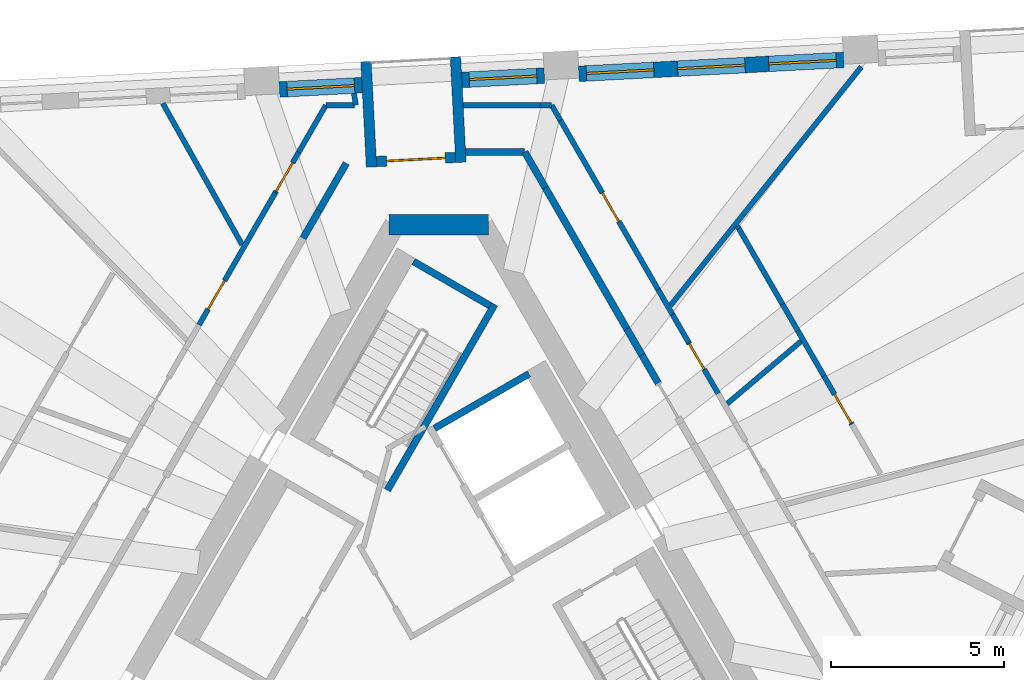
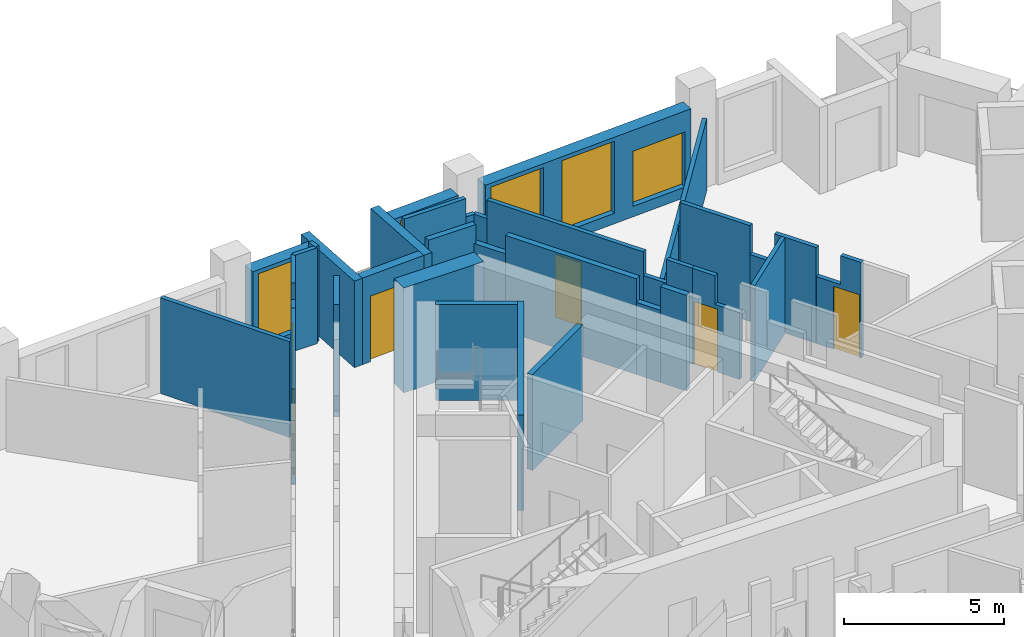
# One storey, part 7 of 12: 37 walls, 6 doors, 5 windows, 11 openings.
"""IFC4 building model written with IfcOpenShell, lengths in metres."""

from ifc_helpers import new_model, si_unit, direction, frame, frame_2d, origin, place, context, subcontext, project, spatial, polyline, rectangle, outline, extrude, material, layer, layer_set, type_object, element, fill, save


model = new_model("IFC4")

# Units and contexts
model_context = context("Model", 3, precision=1e-05, world=origin(), true_north=direction((0.0, 1.0)))
body_context = subcontext(model_context, "Body", "Model", "MODEL_VIEW")
ifc_project = project(units=[si_unit("LENGTHUNIT", "METRE"), si_unit("AREAUNIT", "SQUARE_METRE"), si_unit("VOLUMEUNIT", "CUBIC_METRE"), si_unit("PLANEANGLEUNIT", "RADIAN"), si_unit("MASSUNIT", "GRAM", prefix="KILO")], contexts=[model_context])

# Site, building, storey
site_placement = place(None, origin())
site = spatial("IfcSite", under=ifc_project, at=site_placement, CompositionType="ELEMENT")
building_placement = place(site_placement, origin())
building = spatial("IfcBuilding", under=site, at=building_placement, Name="Tramontana Tower", CompositionType="ELEMENT")
storey_placement = place(building_placement, frame((0.0, 0.0, 282.39990234375)))
storey = spatial("IfcBuildingStorey", under=building, at=storey_placement, Name="L66", CompositionType="ELEMENT", Elevation=282.39990234375)

# Walls
ifc_material_1 = material(Name="Concrete 70 MPa", Category="concrete")
ifc_layer_1 = layer(ifc_material_1, 0.60009765625)
ifc_layer_set_1 = layer_set([ifc_layer_1], Name="Core wall 600 70 MPa")
wall_type_1 = type_object("IfcWallType", Name="Core wall 600 70 MPa", PredefinedType="SHEAR", material=ifc_layer_set_1)
wall_1_placement = place(storey_placement, frame((1.443359375, 10.699951171875, 0.0), z_axis=(0.0, 0.0, 1.0), x_axis=(-1.0, 0.0, 0.0)))
element("IfcWall", 1, at=wall_1_placement, inside=storey, type_object=wall_type_1, Name="Core wall C0 L66", PredefinedType="SHEAR", context=body_context, shape_type="SweptSolid", body=[
    extrude(rectangle(XDim=2.88671875, YDim=0.60009765625, at=frame_2d((1.443359375, 0.0))), origin(), (0.0, 0.0, 1.0), 4.0),
])
ifc_material_2 = material(Name="Blockwork", Category="masonry")
ifc_layer_2 = layer(ifc_material_2, 0.199951171875)
ifc_layer_set_2 = layer_set([ifc_layer_2], Name="ENTRY WALL 200")
wall_type_2 = type_object("IfcWallType", Name="ENTRY WALL 200", PredefinedType="SOLIDWALL", material=ifc_layer_set_2)
wall_2_placement = place(storey_placement, frame((-3.92041015625, 10.309814453125, 0.0), z_axis=(0.0, 0.0, 1.0), x_axis=(0.500102178127, 0.865966403178, 0.0)))
element("IfcWall", 2, at=wall_2_placement, inside=storey, type_object=wall_type_2, Name="Wall v70-ew3-10", PredefinedType="SOLIDWALL", context=body_context, shape_type="SweptSolid", body=[
    extrude(rectangle(XDim=0.927490234375, YDim=0.199951171875, at=frame_2d((0.4638671875, 0.0))), origin(), (0.0, 0.0, 1.0), 2.9501953125),
])
wall_3_placement = place(storey_placement, frame((-3.45654296875, 11.113037109375, 0.0), z_axis=(0.0, 0.0, 1.0), x_axis=(0.500036592568, 0.866004276025, 0.0)))
element("IfcWall", 3, at=wall_3_placement, inside=storey, type_object=wall_type_2, Name="Wall v70-ew3-11", PredefinedType="SOLIDWALL", context=body_context, shape_type="SweptSolid", body=[
    extrude(rectangle(XDim=1.56982421875, YDim=0.199951171875, at=frame_2d((0.784912109375, 0.0))), origin(), (0.0, 0.0, 1.0), 3.650146484375),
])
wall_4_placement = place(storey_placement, frame((0.774658203125, 12.800048828125, 0.0), z_axis=(0.0, 0.0, 1.0), x_axis=(1.0, 0.0, 0.0)))
element("IfcWall", 4, at=wall_4_placement, inside=storey, type_object=wall_type_2, Name="Wall v70-ew4", PredefinedType="SOLIDWALL", context=body_context, shape_type="SweptSolid", body=[
    extrude(rectangle(XDim=1.7080078125, YDim=0.199951171875, at=frame_2d((0.85400390625, 0.0))), origin(), (0.0, 0.0, 1.0), 3.650146484375),
])
wall_5_placement = place(storey_placement, frame((2.482666015625, 12.800048828125, 0.0), z_axis=(0.0, 0.0, 1.0), x_axis=(0.499983247966, -0.86603507536, 0.0)))
element("IfcWall", 5, at=wall_5_placement, inside=storey, type_object=wall_type_2, Name="Wall v70-ew5-0", PredefinedType="SOLIDWALL", context=body_context, shape_type="SweptSolid", body=[
    extrude(rectangle(XDim=1.1884765625, YDim=0.199951171875, at=frame_2d((0.59423828125, 0.0))), origin(), (0.0, 0.0, 1.0), 2.9501953125),
])
wall_6_placement = place(storey_placement, frame((3.076904296875, 11.770751953125, 0.0), z_axis=(0.0, 0.0, 1.0), x_axis=(0.500007683529, -0.866020967652, 0.0)))
element("IfcWall", 6, at=wall_6_placement, inside=storey, type_object=wall_type_2, Name="Wall v70-ew5-1", PredefinedType="SOLIDWALL", context=body_context, shape_type="SweptSolid", body=[
    extrude(rectangle(XDim=4.71728515625, YDim=0.199951171875, at=frame_2d((2.358642578125, 0.0))), origin(), (0.0, 0.0, 1.0), 3.650146484375),
])
wall_7_placement = place(storey_placement, frame((5.435546875, 7.685546875, 0.0), z_axis=(0.0, 0.0, 1.0), x_axis=(0.500056482814, -0.86599279096, 0.0)))
element("IfcWall", 7, at=wall_7_placement, inside=storey, type_object=wall_type_2, Name="Wall v70-ew5-2", PredefinedType="SOLIDWALL", context=body_context, shape_type="SweptSolid", body=[
    extrude(rectangle(XDim=0.86474609375, YDim=0.199951171875, at=frame_2d((0.432373046875, 0.0))), origin(), (0.0, 0.0, 1.0), 2.75),
])
wall_8_placement = place(storey_placement, frame((5.867919921875, 6.936767578125, 0.0), z_axis=(0.0, 0.0, 1.0), x_axis=(0.499857464265, -0.866107681191, 0.0)))
element("IfcWall", 8, at=wall_8_placement, inside=storey, type_object=wall_type_2, Name="Wall v70-ew5-3", PredefinedType="SOLIDWALL", context=body_context, shape_type="SweptSolid", body=[
    extrude(rectangle(XDim=0.939208984375, YDim=0.199951171875, at=frame_2d((0.4697265625, 0.0))), origin(), (0.0, 0.0, 1.0), 3.650146484375),
])

# Wall, openings, windows
ifc_material_3 = material(Name="Precast concrete 60 MPa", Category="concrete")
ifc_layer_3 = layer(ifc_material_3, 0.449951171875)
ifc_layer_set_3 = layer_set([ifc_layer_3], Name="Precast concrete 60 MPa, 450 mm")
wall_type_3 = type_object("IfcWallType", Name="EW1 Stone-faced precast wall 450", PredefinedType="SOLIDWALL", material=ifc_layer_set_3)
wall_9_placement = place(storey_placement, frame((11.697265625, 15.45849609375, 0.0), z_axis=(0.0, 0.0, 1.0), x_axis=(-0.998628023429, -0.052364786088, 0.0)))
wall_9 = element("IfcWall", 9, at=wall_9_placement, inside=storey, type_object=wall_type_3, Name="External wall L66 face 2 bay 2", PredefinedType="SOLIDWALL", context=body_context, shape_type="SweptSolid", body=[
    extrude(rectangle(XDim=7.66015625, YDim=0.449951171875, at=frame_2d((3.830078125, 0.0))), origin(), (0.0, 0.0, 1.0), 3.300048828125),
])
opening_1_placement = place(wall_9_placement, frame((0.21826171875, 0.0, 0.39990234375)))
opening_1 = element("IfcOpeningElement", 10, at=opening_1_placement, cuts=wall_9, Name="Opening M3L", PredefinedType="OPENING", context=body_context, shape_type="SweptSolid", body=[
    extrude(rectangle(XDim=1.949951171875, YDim=2.10009765625, at=frame_2d((0.97509765625, 1.050048828125))), frame((0.0, 0.23486328125, 0.0), z_axis=(0.0, -1.0, 0.0), x_axis=(1.0, 0.0, 0.0)), (0.0, 0.0, 1.0), 0.469970703125),
])
opening_2_placement = place(wall_9_placement, frame((2.855224609375, 0.0, 0.39990234375)))
opening_2 = element("IfcOpeningElement", 11, at=opening_2_placement, cuts=wall_9, Name="Opening M3", PredefinedType="OPENING", context=body_context, shape_type="SweptSolid", body=[
    extrude(rectangle(XDim=1.949951171875, YDim=2.75, at=frame_2d((0.97509765625, 1.375))), frame((0.0, 0.23486328125, 0.0), z_axis=(0.0, -1.0, 0.0), x_axis=(1.0, 0.0, 0.0)), (0.0, 0.0, 1.0), 0.469970703125),
])
opening_3_placement = place(wall_9_placement, frame((5.491943359375, 0.0, 0.39990234375)))
opening_3 = element("IfcOpeningElement", 12, at=opening_3_placement, cuts=wall_9, Name="Opening M3", PredefinedType="OPENING", context=body_context, shape_type="SweptSolid", body=[
    extrude(rectangle(XDim=1.949951171875, YDim=2.75, at=frame_2d((0.97509765625, 1.375))), frame((0.0, 0.23486328125, 0.0), z_axis=(0.0, -1.0, 0.0), x_axis=(1.0, 0.0, 0.0)), (0.0, 0.0, 1.0), 0.469970703125),
])
ifc_material_4 = material(Name="Aluminum frame, double glazing unit", Category="aluminium")
window_type_1 = type_object("IfcWindowType", Name="M3 Window 1.95 x 2.75", PartitioningType="SINGLE_PANEL", PredefinedType="WINDOW", material=ifc_material_4)
window_1_placement = place(opening_2_placement, origin())
window_1 = element("IfcWindow", 13, at=window_1_placement, inside=storey, type_object=window_type_1, Name="Window M3 L66 face 2 module 5", OverallHeight=2.75, OverallWidth=1.949951171875, PartitioningType="SINGLE_PANEL", PredefinedType="WINDOW", context=body_context, shape_type="SweptSolid", body=[
    extrude(rectangle(XDim=1.949951171875, YDim=2.75, at=frame_2d((0.97509765625, 1.375))), frame((0.0, 0.030029296875, 0.0), z_axis=(0.0, -1.0, 0.0), x_axis=(1.0, 0.0, 0.0)), (0.0, 0.0, 1.0), 0.06005859375),
])
fill(opening_2, window_1)
window_2_placement = place(opening_3_placement, origin())
window_2 = element("IfcWindow", 14, at=window_2_placement, inside=storey, type_object=window_type_1, Name="Window M3 L66 face 2 module 6", OverallHeight=2.75, OverallWidth=1.949951171875, PartitioningType="SINGLE_PANEL", PredefinedType="WINDOW", context=body_context, shape_type="SweptSolid", body=[
    extrude(rectangle(XDim=1.949951171875, YDim=2.75, at=frame_2d((0.97509765625, 1.375))), frame((0.0, 0.030029296875, 0.0), z_axis=(0.0, -1.0, 0.0), x_axis=(1.0, 0.0, 0.0)), (0.0, 0.0, 1.0), 0.06005859375),
])
fill(opening_3, window_2)
ifc_material_5 = material(Name="Aluminum frame, double glazing unit", Category="aluminium")
window_type_2 = type_object("IfcWindowType", Name="M3L Window 1.95 x 2.1", PartitioningType="SINGLE_PANEL", PredefinedType="WINDOW", material=ifc_material_5)
window_3_placement = place(opening_1_placement, origin())
window_3 = element("IfcWindow", 15, at=window_3_placement, inside=storey, type_object=window_type_2, Name="Window M3L L66 face 2 module 4", OverallHeight=2.10009765625, OverallWidth=1.949951171875, PartitioningType="SINGLE_PANEL", PredefinedType="WINDOW", context=body_context, shape_type="SweptSolid", body=[
    extrude(rectangle(XDim=1.949951171875, YDim=2.10009765625, at=frame_2d((0.97509765625, 1.050048828125))), frame((0.0, 0.030029296875, 0.0), z_axis=(0.0, -1.0, 0.0), x_axis=(1.0, 0.0, 0.0)), (0.0, 0.0, 1.0), 0.06005859375),
])
fill(opening_1, window_3)

# Wall, opening, window
wall_10_placement = place(storey_placement, frame((3.049072265625, 15.005126953125, 0.0), z_axis=(0.0, 0.0, 1.0), x_axis=(-0.998627701279, -0.052370929331, 0.0)))
wall_10 = element("IfcWall", 16, at=wall_10_placement, inside=storey, type_object=wall_type_3, Name="External wall L66 face 2 bay 3", PredefinedType="SOLIDWALL", context=body_context, shape_type="SweptSolid", body=[
    extrude(rectangle(XDim=2.38671875, YDim=0.449951171875, at=frame_2d((1.193359375, 0.0))), origin(), (0.0, 0.0, 1.0), 3.300048828125),
])
opening_4_placement = place(wall_10_placement, frame((0.21826171875, 0.0, 0.39990234375)))
opening_4 = element("IfcOpeningElement", 17, at=opening_4_placement, cuts=wall_10, Name="Opening M3", PredefinedType="OPENING", context=body_context, shape_type="SweptSolid", body=[
    extrude(rectangle(XDim=1.949951171875, YDim=2.75, at=frame_2d((0.97509765625, 1.375))), frame((0.0, 0.23486328125, 0.0), z_axis=(0.0, -1.0, 0.0), x_axis=(1.0, 0.0, 0.0)), (0.0, 0.0, 1.0), 0.469970703125),
])
window_4_placement = place(opening_4_placement, origin())
window_4 = element("IfcWindow", 18, at=window_4_placement, inside=storey, type_object=window_type_1, Name="Window M3 L66 face 2 module 7", OverallHeight=2.75, OverallWidth=1.949951171875, PartitioningType="SINGLE_PANEL", PredefinedType="WINDOW", context=body_context, shape_type="SweptSolid", body=[
    extrude(rectangle(XDim=1.949951171875, YDim=2.75, at=frame_2d((0.97509765625, 1.375))), frame((0.0, 0.030029296875, 0.0), z_axis=(0.0, -1.0, 0.0), x_axis=(1.0, 0.0, 0.0)), (0.0, 0.0, 1.0), 0.06005859375),
])
fill(opening_4, window_4)

wall_11_placement = place(storey_placement, frame((-2.21728515625, 14.729248046875, 0.0), z_axis=(0.0, 0.0, 1.0), x_axis=(-0.998627701279, -0.052370929331, 0.0)))
wall_11 = element("IfcWall", 19, at=wall_11_placement, inside=storey, type_object=wall_type_3, Name="External wall L66 face 2 bay 3", PredefinedType="SOLIDWALL", context=body_context, shape_type="SweptSolid", body=[
    extrude(rectangle(XDim=2.38671875, YDim=0.449951171875, at=frame_2d((1.193359375, 0.0))), origin(), (0.0, 0.0, 1.0), 3.300048828125),
])
opening_5_placement = place(wall_11_placement, frame((0.21826171875, 0.0, 0.39990234375)))
opening_5 = element("IfcOpeningElement", 20, at=opening_5_placement, cuts=wall_11, Name="Opening M3", PredefinedType="OPENING", context=body_context, shape_type="SweptSolid", body=[
    extrude(rectangle(XDim=1.949951171875, YDim=2.75, at=frame_2d((0.97509765625, 1.375))), frame((0.0, 0.23486328125, 0.0), z_axis=(0.0, -1.0, 0.0), x_axis=(1.0, 0.0, 0.0)), (0.0, 0.0, 1.0), 0.469970703125),
])
window_5_placement = place(opening_5_placement, origin())
window_5 = element("IfcWindow", 21, at=window_5_placement, inside=storey, type_object=window_type_1, Name="Window M3 L66 face 2 module 9", OverallHeight=2.75, OverallWidth=1.949951171875, PartitioningType="SINGLE_PANEL", PredefinedType="WINDOW", context=body_context, shape_type="SweptSolid", body=[
    extrude(rectangle(XDim=1.949951171875, YDim=2.75, at=frame_2d((0.97509765625, 1.375))), frame((0.0, 0.030029296875, 0.0), z_axis=(0.0, -1.0, 0.0), x_axis=(1.0, 0.0, 0.0)), (0.0, 0.0, 1.0), 0.06005859375),
])
fill(opening_5, window_5)

# Wall, opening, door
ifc_material_6 = material(Name="Precast concrete 60 MPa", Category="concrete")
ifc_layer_4 = layer(ifc_material_6, 0.300048828125)
ifc_layer_set_4 = layer_set([ifc_layer_4], Name="LW1 Stone-faced loggia wall 300")
wall_type_4 = type_object("IfcWallType", Name="LW1 Stone-faced loggia wall 300", PredefinedType="SOLIDWALL", material=ifc_layer_set_4)
wall_12_placement = place(storey_placement, frame((0.482421875, 12.642578125, 0.0), z_axis=(0.0, 0.0, 1.0), x_axis=(-0.998630775221, -0.052312281362, 0.0)))
wall_12 = element("IfcWall", 22, at=wall_12_placement, inside=storey, type_object=wall_type_4, Name="Loggia wall L66 G7S2.7", PredefinedType="SOLIDWALL", context=body_context, shape_type="SweptSolid", body=[
    extrude(rectangle(XDim=2.286865234375, YDim=0.300048828125, at=frame_2d((1.1435546875, 0.0))), origin(), (0.0, 0.0, 1.0), 3.300048828125),
])
opening_6_placement = place(wall_12_placement, frame((0.29345703125, 0.0, 0.0)))
opening_6 = element("IfcOpeningElement", 23, at=opening_6_placement, cuts=wall_12, Name="Opening BD-7S2-07", PredefinedType="OPENING", context=body_context, shape_type="SweptSolid", body=[
    extrude(rectangle(XDim=1.699951171875, YDim=2.5, at=frame_2d((0.85009765625, 1.25))), frame((0.0, 0.159912109375, 0.0), z_axis=(0.0, -1.0, 0.0), x_axis=(1.0, 0.0, 0.0)), (0.0, 0.0, 1.0), 0.320068359375),
])
ifc_material_7 = material(Name="Aluminum frame, double glazing unit", Category="aluminium")
door_type_1 = type_object("IfcDoorType", Name="BD3 Sliding door 1.7 x 2.5", OperationType="SLIDING_TO_LEFT", PredefinedType="DOOR", material=ifc_material_7)
door_1_placement = place(opening_6_placement, origin())
door_1 = element("IfcDoor", 24, at=door_1_placement, inside=storey, type_object=door_type_1, Name="Loggia door L66 G7S2.7", OperationType="SLIDING_TO_LEFT", OverallHeight=2.5, OverallWidth=1.699951171875, PredefinedType="DOOR", context=body_context, shape_type="SweptSolid", body=[
    extrude(rectangle(XDim=1.699951171875, YDim=2.5, at=frame_2d((0.85009765625, 1.25))), frame((0.0, 0.02490234375, 0.0), z_axis=(0.0, -1.0, 0.0), x_axis=(1.0, 0.0, 0.0)), (0.0, 0.0, 1.0), 0.050048828125),
])
fill(opening_6, door_1)

# Walls
wall_13_placement = place(storey_placement, frame((0.48046875, 15.54638671875, 0.0), z_axis=(0.0, 0.0, 1.0), x_axis=(0.052352956549, -0.998628643661, 0.0)))
element("IfcWall", 25, at=wall_13_placement, inside=storey, type_object=wall_type_4, Name="Loggia return L66 G7S2.7a", PredefinedType="SOLIDWALL", context=body_context, shape_type="SweptSolid", body=[
    extrude(rectangle(XDim=3.0498046875, YDim=0.300048828125, at=frame_2d((1.52490234375, 0.0))), origin(), (0.0, 0.0, 1.0), 3.300048828125),
])
wall_14_placement = place(storey_placement, frame((-2.102783203125, 15.4111328125, 0.0), z_axis=(0.0, 0.0, 1.0), x_axis=(0.052348771756, -0.99862886304, 0.0)))
element("IfcWall", 26, at=wall_14_placement, inside=storey, type_object=wall_type_4, Name="Loggia return L66 G7S2.7b", PredefinedType="SOLIDWALL", context=body_context, shape_type="SweptSolid", body=[
    extrude(rectangle(XDim=3.050048828125, YDim=0.300048828125, at=frame_2d((1.52490234375, 0.0))), origin(), (0.0, 0.0, 1.0), 3.300048828125),
])

# Wall, opening, door
ifc_material_8 = material(Name="Gypsum board partition")
ifc_layer_5 = layer(ifc_material_8, 0.14990234375)
ifc_layer_set_5 = layer_set([ifc_layer_5], Name="PARTITION 150")
wall_type_5 = type_object("IfcWallType", Name="PARTITION 150", PredefinedType="PARTITIONING", material=ifc_layer_set_5)
wall_15_placement = place(storey_placement, frame((-6.9248046875, 7.805908203125, 0.0), z_axis=(0.0, 0.0, 1.0), x_axis=(0.500024628788, 0.86601118388, 0.0)))
wall_15 = element("IfcWall", 27, at=wall_15_placement, inside=storey, type_object=wall_type_5, Name="Wall v70-pw00-9", PredefinedType="PARTITIONING", context=body_context, shape_type="SweptSolid", body=[
    extrude(rectangle(XDim=4.406005859375, YDim=0.14990234375, at=frame_2d((2.203125, 0.0))), origin(), (0.0, 0.0, 1.0), 3.650146484375),
])
opening_7_placement = place(wall_15_placement, frame((0.52392578125, 0.0, 0.0)))
opening_7 = element("IfcOpeningElement", 28, at=opening_7_placement, cuts=wall_15, Name="Opening B7A-03", PredefinedType="OPENING", context=body_context, shape_type="SweptSolid", body=[
    extrude(rectangle(XDim=0.949951171875, YDim=2.39990234375, at=frame_2d((0.47509765625, 1.199951171875))), frame((0.0, 0.0849609375, 0.0), z_axis=(0.0, -1.0, 0.0), x_axis=(1.0, 0.0, 0.0)), (0.0, 0.0, 1.0), 0.169921875),
])
ifc_material_9 = material(Name="Painted timber", Category="wood")
door_type_2 = type_object("IfcDoorType", Name="DOOR ROOM 950", OperationType="SINGLE_SWING_LEFT", PredefinedType="DOOR", material=ifc_material_9)
door_2_placement = place(opening_7_placement, origin())
door_2 = element("IfcDoor", 29, at=door_2_placement, inside=storey, type_object=door_type_2, Name="Door B7A-03", OperationType="SINGLE_SWING_LEFT", OverallHeight=2.39990234375, OverallWidth=0.949951171875, PredefinedType="DOOR", context=body_context, shape_type="SweptSolid", body=[
    extrude(rectangle(XDim=0.949951171875, YDim=2.39990234375, at=frame_2d((0.47509765625, 1.199951171875))), frame((0.0, 0.02490234375, 0.0), z_axis=(0.0, -1.0, 0.0), x_axis=(1.0, 0.0, 0.0)), (0.0, 0.0, 1.0), 0.050048828125),
])
fill(opening_7, door_2)

wall_16_placement = place(storey_placement, frame((-4.7216796875, 11.62158203125, 0.0), z_axis=(0.0, 0.0, 1.0), x_axis=(0.499973075538, 0.866040948072, 0.0)))
wall_16 = element("IfcWall", 30, at=wall_16_placement, inside=storey, type_object=wall_type_5, Name="Wall v70-pw00-10", PredefinedType="PARTITIONING", context=body_context, shape_type="SweptSolid", body=[
    extrude(outline(polyline([(0.0, 0.0), (1.34912109375, 0.0), (1.34912109375, 2.9501953125), (0.45458984375, 2.9501953125), (0.45458984375, 3.650146484375), (0.0, 3.650146484375), (0.0, 0.0)])), frame((0.0, 0.074951171875, 0.0), z_axis=(0.0, -1.0, 0.0), x_axis=(1.0, 0.0, 0.0)), (0.0, 0.0, 1.0), 0.14990234375),
])
opening_8_placement = place(wall_16_placement, frame((0.050048828125, 0.0, 0.0)))
opening_8 = element("IfcOpeningElement", 31, at=opening_8_placement, cuts=wall_16, Name="Opening B7A-04", PredefinedType="OPENING", context=body_context, shape_type="SweptSolid", body=[
    extrude(rectangle(XDim=0.949951171875, YDim=2.39990234375, at=frame_2d((0.47509765625, 1.199951171875))), frame((0.0, 0.0849609375, 0.0), z_axis=(0.0, -1.0, 0.0), x_axis=(1.0, 0.0, 0.0)), (0.0, 0.0, 1.0), 0.169921875),
])
door_3_placement = place(opening_8_placement, origin())
door_3 = element("IfcDoor", 32, at=door_3_placement, inside=storey, type_object=door_type_2, Name="Door B7A-04", OperationType="SINGLE_SWING_RIGHT", OverallHeight=2.39990234375, OverallWidth=0.949951171875, PredefinedType="DOOR", context=body_context, shape_type="SweptSolid", body=[
    extrude(rectangle(XDim=0.949951171875, YDim=2.39990234375, at=frame_2d((0.47509765625, 1.199951171875))), frame((0.0, 0.02490234375, 0.0), z_axis=(0.0, -1.0, 0.0), x_axis=(1.0, 0.0, 0.0)), (0.0, 0.0, 1.0), 0.050048828125),
])
fill(opening_8, door_3)

# Walls
wall_17_placement = place(storey_placement, frame((-4.047119140625, 12.7900390625, 0.0), z_axis=(0.0, 0.0, 1.0), x_axis=(0.500018540756, 0.866014699009, 0.0)))
element("IfcWall", 33, at=wall_17_placement, inside=storey, type_object=wall_type_5, Name="Wall v70-pw00-11", PredefinedType="PARTITIONING", context=body_context, shape_type="SweptSolid", body=[
    extrude(rectangle(XDim=1.5703125, YDim=0.14990234375, at=frame_2d((0.78515625, 0.0))), origin(), (0.0, 0.0, 1.0), 3.650146484375),
])
wall_18_placement = place(storey_placement, frame((-7.97119140625, 14.202392578125, 0.0), z_axis=(0.0, 0.0, 1.0), x_axis=(0.489424944671, -0.872045425155, 0.0)))
element("IfcWall", 34, at=wall_18_placement, inside=storey, type_object=wall_type_5, Name="Wall v70-pw10", PredefinedType="PARTITIONING", context=body_context, shape_type="SweptSolid", body=[
    extrude(rectangle(XDim=4.68603515625, YDim=0.14990234375, at=frame_2d((2.343017578125, 0.0))), origin(), (0.0, 0.0, 1.0), 3.650146484375),
])
wall_19_placement = place(storey_placement, frame((-3.261962890625, 14.14990234375, 0.0), z_axis=(0.0, 0.0, 1.0), x_axis=(1.0, 0.0, 0.0)))
element("IfcWall", 35, at=wall_19_placement, inside=storey, type_object=wall_type_5, Name="Wall v70-pw12", PredefinedType="PARTITIONING", context=body_context, shape_type="SweptSolid", body=[
    extrude(rectangle(XDim=0.82373046875, YDim=0.14990234375, at=frame_2d((0.411865234375, 0.0))), origin(), (0.0, 0.0, 1.0), 3.650146484375),
])
wall_20_placement = place(storey_placement, frame((-2.394287109375, 14.15478515625, 0.0), z_axis=(0.0, 0.0, 1.0), x_axis=(-0.16729669573, 0.985906595778, 0.0)))
element("IfcWall", 36, at=wall_20_placement, inside=storey, type_object=wall_type_5, Name="Wall v70-pw13", PredefinedType="PARTITIONING", context=body_context, shape_type="SweptSolid", body=[
    extrude(rectangle(XDim=0.341552734375, YDim=0.14990234375, at=frame_2d((0.1708984375, 0.0))), origin(), (0.0, 0.0, 1.0), 3.650146484375),
])
wall_21_placement = place(storey_placement, frame((0.703857421875, 14.14990234375, 0.0), z_axis=(0.0, 0.0, 1.0), x_axis=(1.0, 0.0, 0.0)))
element("IfcWall", 37, at=wall_21_placement, inside=storey, type_object=wall_type_5, Name="Wall v70-pw15-0", PredefinedType="PARTITIONING", context=body_context, shape_type="SweptSolid", body=[
    extrude(rectangle(XDim=2.216796875, YDim=0.14990234375, at=frame_2d((1.1083984375, 0.0))), origin(), (0.0, 0.0, 1.0), 3.650146484375),
])
wall_22_placement = place(storey_placement, frame((2.920654296875, 14.14990234375, 0.0), z_axis=(0.0, 0.0, 1.0), x_axis=(1.0, 0.0, 0.0)))
element("IfcWall", 38, at=wall_22_placement, inside=storey, type_object=wall_type_5, Name="Wall v70-pw15-1", PredefinedType="PARTITIONING", context=body_context, shape_type="SweptSolid", body=[
    extrude(rectangle(XDim=0.34130859375, YDim=0.14990234375, at=frame_2d((0.170654296875, 0.0))), origin(), (0.0, 0.0, 1.0), 2.9501953125),
])
wall_23_placement = place(storey_placement, frame((3.261962890625, 14.14990234375, 0.0), z_axis=(0.0, 0.0, 1.0), x_axis=(0.500115484592, -0.865958718457, 0.0)))
element("IfcWall", 39, at=wall_23_placement, inside=storey, type_object=wall_type_5, Name="Wall v70-pw18-0", PredefinedType="PARTITIONING", context=body_context, shape_type="SweptSolid", body=[
    extrude(rectangle(XDim=0.501953125, YDim=0.14990234375, at=frame_2d((0.2509765625, 0.0))), origin(), (0.0, 0.0, 1.0), 2.9501953125),
])

# Wall, opening, door
wall_24_placement = place(storey_placement, frame((3.512939453125, 13.71533203125, 0.0), z_axis=(0.0, 0.0, 1.0), x_axis=(0.500019542665, -0.866014120528, 0.0)))
wall_24 = element("IfcWall", 40, at=wall_24_placement, inside=storey, type_object=wall_type_5, Name="Wall v70-pw18-1", PredefinedType="PARTITIONING", context=body_context, shape_type="SweptSolid", body=[
    extrude(rectangle(XDim=5.643310546875, YDim=0.14990234375, at=frame_2d((2.82177734375, 0.0))), origin(), (0.0, 0.0, 1.0), 3.650146484375),
])
opening_9_placement = place(wall_24_placement, frame((2.42236328125, 0.0, 0.0)))
opening_9 = element("IfcOpeningElement", 41, at=opening_9_placement, cuts=wall_24, Name="Opening B7A-18", PredefinedType="OPENING", context=body_context, shape_type="SweptSolid", body=[
    extrude(rectangle(XDim=0.949951171875, YDim=2.39990234375, at=frame_2d((0.47509765625, 1.199951171875))), frame((0.0, 0.0849609375, 0.0), z_axis=(0.0, -1.0, 0.0), x_axis=(1.0, 0.0, 0.0)), (0.0, 0.0, 1.0), 0.169921875),
])
door_4_placement = place(opening_9_placement, origin())
door_4 = element("IfcDoor", 42, at=door_4_placement, inside=storey, type_object=door_type_2, Name="Door B7A-18", OperationType="SINGLE_SWING_RIGHT", OverallHeight=2.39990234375, OverallWidth=0.949951171875, PredefinedType="DOOR", context=body_context, shape_type="SweptSolid", body=[
    extrude(rectangle(XDim=0.949951171875, YDim=2.39990234375, at=frame_2d((0.47509765625, 1.199951171875))), frame((0.0, 0.02490234375, 0.0), z_axis=(0.0, -1.0, 0.0), x_axis=(1.0, 0.0, 0.0)), (0.0, 0.0, 1.0), 0.050048828125),
])
fill(opening_9, door_4)

# Walls
wall_25_placement = place(storey_placement, frame((6.334716796875, 8.828125, 0.0), z_axis=(0.0, 0.0, 1.0), x_axis=(0.499932737185, -0.866064234506, 0.0)))
element("IfcWall", 43, at=wall_25_placement, inside=storey, type_object=wall_type_5, Name="Wall v70-pw18-2", PredefinedType="PARTITIONING", context=body_context, shape_type="SweptSolid", body=[
    extrude(rectangle(XDim=0.83740234375, YDim=0.14990234375, at=frame_2d((0.418701171875, 0.0))), origin(), (0.0, 0.0, 1.0), 2.75),
])
wall_26_placement = place(storey_placement, frame((6.75341796875, 8.102783203125, 0.0), z_axis=(0.0, 0.0, 1.0), x_axis=(0.499882215713, -0.866093395895, 0.0)))
element("IfcWall", 44, at=wall_26_placement, inside=storey, type_object=wall_type_5, Name="Wall v70-pw18-3", PredefinedType="PARTITIONING", context=body_context, shape_type="SweptSolid", body=[
    extrude(rectangle(XDim=0.926025390625, YDim=0.14990234375, at=frame_2d((0.462890625, 0.0))), origin(), (0.0, 0.0, 1.0), 3.650146484375),
])

# Wall, opening, door
wall_27_placement = place(storey_placement, frame((7.21630859375, 7.30078125, 0.0), z_axis=(0.0, 0.0, 1.0), x_axis=(0.500056273262, -0.865992911964, 0.0)))
wall_27 = element("IfcWall", 45, at=wall_27_placement, inside=storey, type_object=wall_type_5, Name="Wall v70-pw18-4", PredefinedType="PARTITIONING", context=body_context, shape_type="SweptSolid", body=[
    extrude(outline(polyline([(0.0, 0.0), (1.709228515625, 0.0), (1.709228515625, 2.550048828125), (0.824951171875, 2.550048828125), (0.824951171875, 3.650146484375), (0.0, 3.650146484375), (0.0, 0.0)])), frame((0.0, 0.074951171875, 0.0), z_axis=(0.0, -1.0, 0.0), x_axis=(1.0, 0.0, 0.0)), (0.0, 0.0, 1.0), 0.14990234375),
])
opening_10_placement = place(wall_27_placement, frame((0.050048828125, 0.0, 0.0)))
opening_10 = element("IfcOpeningElement", 46, at=opening_10_placement, cuts=wall_27, Name="Opening B7A-15", PredefinedType="OPENING", context=body_context, shape_type="SweptSolid", body=[
    extrude(rectangle(XDim=0.85009765625, YDim=2.39990234375, at=frame_2d((0.425048828125, 1.199951171875))), frame((0.0, 0.0849609375, 0.0), z_axis=(0.0, -1.0, 0.0), x_axis=(1.0, 0.0, 0.0)), (0.0, 0.0, 1.0), 0.169921875),
])
ifc_material_10 = material(Name="Painted timber", Category="wood")
door_type_3 = type_object("IfcDoorType", Name="DOOR BATH 850", OperationType="SINGLE_SWING_LEFT", PredefinedType="DOOR", material=ifc_material_10)
door_5_placement = place(opening_10_placement, origin())
door_5 = element("IfcDoor", 47, at=door_5_placement, inside=storey, type_object=door_type_3, Name="Door B7A-15", OperationType="SINGLE_SWING_LEFT", OverallHeight=2.39990234375, OverallWidth=0.85009765625, PredefinedType="DOOR", context=body_context, shape_type="SweptSolid", body=[
    extrude(rectangle(XDim=0.85009765625, YDim=2.39990234375, at=frame_2d((0.425048828125, 1.199951171875))), frame((0.0, 0.02490234375, 0.0), z_axis=(0.0, -1.0, 0.0), x_axis=(1.0, 0.0, 0.0)), (0.0, 0.0, 1.0), 0.050048828125),
])
fill(opening_10, door_5)

# Walls
wall_28_placement = place(storey_placement, frame((6.690185546875, 8.3623046875, 0.0), z_axis=(0.0, 0.0, 1.0), x_axis=(0.624718641323, 0.780849933843, 0.0)))
element("IfcWall", 48, at=wall_28_placement, inside=storey, type_object=wall_type_5, Name="Wall v70-pw22-0", PredefinedType="PARTITIONING", context=body_context, shape_type="SweptSolid", body=[
    extrude(rectangle(XDim=8.833251953125, YDim=0.14990234375, at=frame_2d((4.41650390625, 0.0))), origin(), (0.0, 0.0, 1.0), 2.75),
])
wall_29_placement = place(storey_placement, frame((8.327880859375, 5.52587890625, 0.0), z_axis=(0.0, 0.0, 1.0), x_axis=(0.764108404466, 0.645087859306, 0.0)))
element("IfcWall", 49, at=wall_29_placement, inside=storey, type_object=wall_type_5, Name="Wall v70-pw23", PredefinedType="PARTITIONING", context=body_context, shape_type="SweptSolid", body=[
    extrude(rectangle(XDim=2.793701171875, YDim=0.14990234375, at=frame_2d((1.39697265625, 0.0))), origin(), (0.0, 0.0, 1.0), 3.650146484375),
])
wall_30_placement = place(storey_placement, frame((8.625244140625, 10.660888671875, 0.0), z_axis=(0.0, 0.0, 1.0), x_axis=(0.499332966107, -0.866410173624, 0.0)))
element("IfcWall", 50, at=wall_30_placement, inside=storey, type_object=wall_type_5, Name="Wall v70-pw24-0", PredefinedType="PARTITIONING", context=body_context, shape_type="SweptSolid", body=[
    extrude(rectangle(XDim=0.09033203125, YDim=0.14990234375, at=frame_2d((0.045166015625, 0.0))), origin(), (0.0, 0.0, 1.0), 2.75),
])
wall_31_placement = place(storey_placement, frame((8.67041015625, 10.58251953125, 0.0), z_axis=(0.0, 0.0, 1.0), x_axis=(0.499938053331, -0.866061165757, 0.0)))
element("IfcWall", 51, at=wall_31_placement, inside=storey, type_object=wall_type_5, Name="Wall v70-pw24-1", PredefinedType="PARTITIONING", context=body_context, shape_type="SweptSolid", body=[
    extrude(rectangle(XDim=2.515869140625, YDim=0.14990234375, at=frame_2d((1.2578125, 0.0))), origin(), (0.0, 0.0, 1.0), 3.650146484375),
])
wall_32_placement = place(storey_placement, frame((9.92822265625, 8.403564453125, 0.0), z_axis=(0.0, 0.0, 1.0), x_axis=(0.500176418896, -0.865923524325, 0.0)))
element("IfcWall", 52, at=wall_32_placement, inside=storey, type_object=wall_type_5, Name="Wall v70-pw24-2", PredefinedType="PARTITIONING", context=body_context, shape_type="SweptSolid", body=[
    extrude(rectangle(XDim=0.884521484375, YDim=0.14990234375, at=frame_2d((0.4423828125, 0.0))), origin(), (0.0, 0.0, 1.0), 2.550048828125),
])
wall_33_placement = place(storey_placement, frame((10.37060546875, 7.6376953125, 0.0), z_axis=(0.0, 0.0, 1.0), x_axis=(0.499983823482, -0.8660347431, 0.0)))
element("IfcWall", 53, at=wall_33_placement, inside=storey, type_object=wall_type_5, Name="Wall v70-pw24-3", PredefinedType="PARTITIONING", context=body_context, shape_type="SweptSolid", body=[
    extrude(rectangle(XDim=1.50927734375, YDim=0.14990234375, at=frame_2d((0.754638671875, 0.0))), origin(), (0.0, 0.0, 1.0), 3.650146484375),
])

# Wall, opening, door
wall_34_placement = place(storey_placement, frame((11.125244140625, 6.33056640625, 0.0), z_axis=(0.0, 0.0, 1.0), x_axis=(0.500058405483, -0.865991680737, 0.0)))
wall_34 = element("IfcWall", 54, at=wall_34_placement, inside=storey, type_object=wall_type_5, Name="Wall v70-pw24-4", PredefinedType="PARTITIONING", context=body_context, shape_type="SweptSolid", body=[
    extrude(outline(polyline([(0.0, 0.0), (1.614501953125, 0.0), (1.614501953125, 3.650146484375), (0.875732421875, 3.650146484375), (0.875732421875, 2.550048828125), (0.0, 2.550048828125), (0.0, 0.0)])), frame((0.0, 0.074951171875, 0.0), z_axis=(0.0, -1.0, 0.0), x_axis=(1.0, 0.0, 0.0)), (0.0, 0.0, 1.0), 0.14990234375),
])
opening_11_placement = place(wall_34_placement, frame((0.614501953125, 0.0, 0.0)))
opening_11 = element("IfcOpeningElement", 55, at=opening_11_placement, cuts=wall_34, Name="Opening B7A-20", PredefinedType="OPENING", context=body_context, shape_type="SweptSolid", body=[
    extrude(rectangle(XDim=0.949951171875, YDim=2.39990234375, at=frame_2d((0.47509765625, 1.199951171875))), frame((0.0, 0.0849609375, 0.0), z_axis=(0.0, -1.0, 0.0), x_axis=(1.0, 0.0, 0.0)), (0.0, 0.0, 1.0), 0.169921875),
])
door_6_placement = place(opening_11_placement, origin())
door_6 = element("IfcDoor", 56, at=door_6_placement, inside=storey, type_object=door_type_2, Name="Door B7A-20", OperationType="SINGLE_SWING_RIGHT", OverallHeight=2.39990234375, OverallWidth=0.949951171875, PredefinedType="DOOR", context=body_context, shape_type="SweptSolid", body=[
    extrude(rectangle(XDim=0.949951171875, YDim=2.39990234375, at=frame_2d((0.47509765625, 1.199951171875))), frame((0.0, 0.02490234375, 0.0), z_axis=(0.0, -1.0, 0.0), x_axis=(1.0, 0.0, 0.0)), (0.0, 0.0, 1.0), 0.050048828125),
])
fill(opening_11, door_6)

# Walls
ifc_material_11 = material(Name="Concrete 70 MPa", Category="concrete")
ifc_layer_6 = layer(ifc_material_11, 0.199951171875)
ifc_layer_set_6 = layer_set([ifc_layer_6], Name="Concrete 70 MPa, 200 mm")
wall_type_6 = type_object("IfcWallType", Name="RC STAIR AND SHAFT WALL 200", PredefinedType="SOLIDWALL", material=ifc_layer_set_6)
wall_35_placement = place(storey_placement, frame((1.615234375, 8.3974609375, 0.0), z_axis=(0.0, 0.0, 1.0), x_axis=(-0.500009909098, -0.866019682689, 0.0)))
element("IfcWall", 57, at=wall_35_placement, inside=storey, type_object=wall_type_6, Name="Wall st1-front", PredefinedType="SOLIDWALL", context=body_context, shape_type="SweptSolid", body=[
    extrude(rectangle(XDim=6.199951171875, YDim=0.199951171875, at=frame_2d((3.10009765625, 0.0))), origin(), (0.0, 0.0, 1.0), 3.650146484375),
])
wall_36_placement = place(storey_placement, frame((1.478515625, 8.36083984375, 0.0), z_axis=(0.0, 0.0, 1.0), x_axis=(-0.865989465428, 0.500062241894, 0.0)))
element("IfcWall", 58, at=wall_36_placement, inside=storey, type_object=wall_type_6, Name="Wall st1-far", PredefinedType="SOLIDWALL", context=body_context, shape_type="SweptSolid", body=[
    extrude(rectangle(XDim=2.550048828125, YDim=0.199951171875, at=frame_2d((1.27490234375, 0.0))), origin(), (0.0, 0.0, 1.0), 3.650146484375),
])
wall_37_placement = place(storey_placement, frame((-0.123046875, 4.813232421875, 0.0), z_axis=(0.0, 0.0, 1.0), x_axis=(0.866016494683, 0.500015430699, 0.0)))
element("IfcWall", 59, at=wall_37_placement, inside=storey, type_object=wall_type_6, Name="Wall row2-side2", PredefinedType="SOLIDWALL", context=body_context, shape_type="SweptSolid", body=[
    extrude(rectangle(XDim=3.14990234375, YDim=0.199951171875, at=frame_2d((1.574951171875, 0.0))), origin(), (0.0, 0.0, 1.0), 3.650146484375),
])

save(model, "model.ifc")
